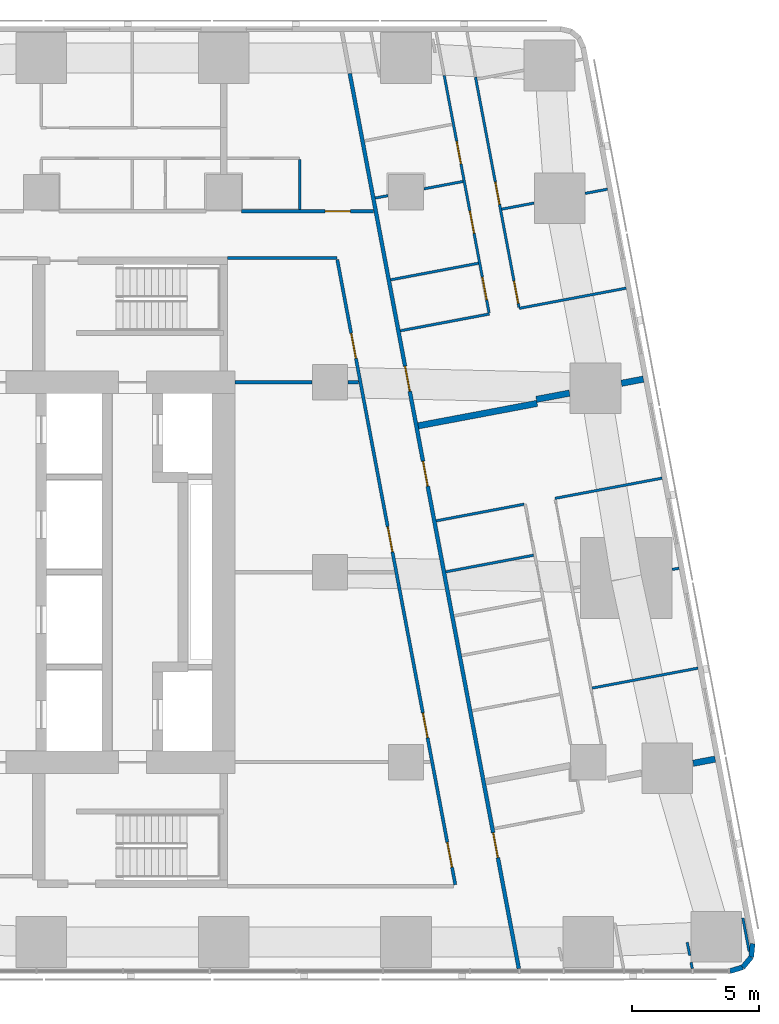
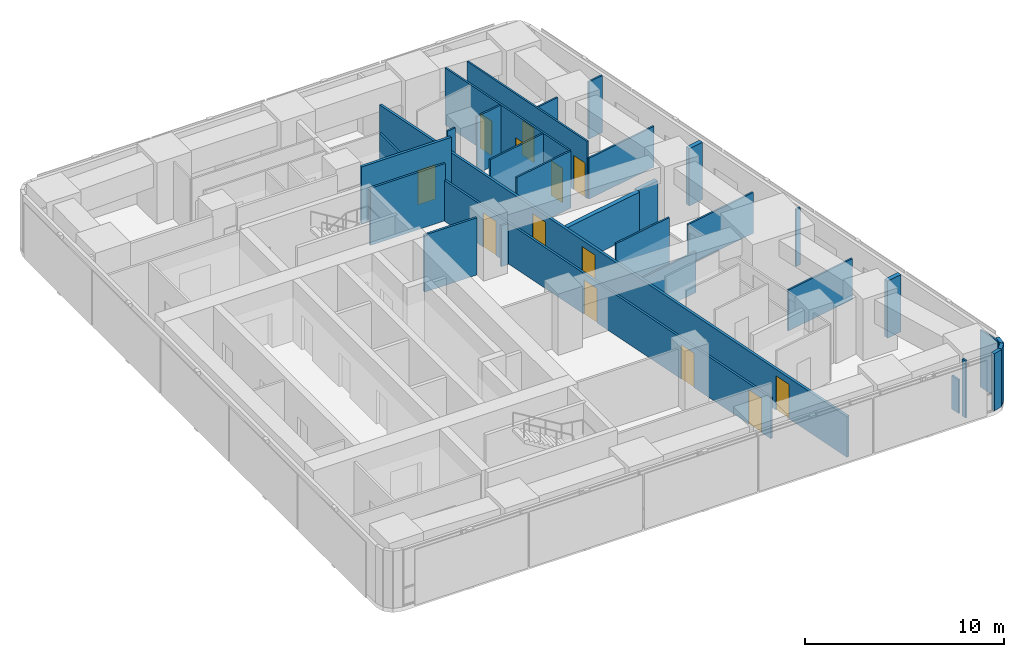
# One storey, part 7 of 11: 31 walls, 13 doors, 13 openings.
"""IFC4 building model written with IfcOpenShell, lengths in metres."""

from ifc_helpers import new_model, si_unit, direction, frame, frame_2d, origin, place, context, subcontext, project, spatial, rectangle, extrude, material, layer, layer_set, type_object, element, fill, save


model = new_model("IFC4")

# Units and contexts
model_context = context("Model", 3, precision=1e-05, world=origin(), true_north=direction((0.0, 1.0)))
body_context = subcontext(model_context, "Body", "Model", "MODEL_VIEW")
ifc_project = project(units=[si_unit("LENGTHUNIT", "METRE"), si_unit("AREAUNIT", "SQUARE_METRE"), si_unit("VOLUMEUNIT", "CUBIC_METRE"), si_unit("PLANEANGLEUNIT", "RADIAN"), si_unit("MASSUNIT", "GRAM", prefix="KILO")], contexts=[model_context])

# Site, building, storey
site_placement = place(None, origin())
site = spatial("IfcSite", under=ifc_project, at=site_placement, CompositionType="ELEMENT")
building_placement = place(site_placement, origin())
building = spatial("IfcBuilding", under=site, at=building_placement, Name="Sheger Commons Tower", CompositionType="ELEMENT")
storey_placement = place(building_placement, frame((0.0, 0.0, 274.10009765625)))
storey = spatial("IfcBuildingStorey", under=building, at=storey_placement, Name="L70", CompositionType="ELEMENT", Elevation=274.10009765625)

# Wall, opening, door
ifc_material_1 = material(Name="Hollow concrete block masonry, skimmed both sides", Category="masonry")
ifc_layer_1 = layer(ifc_material_1, 0.14990234375)
ifc_layer_set_1 = layer_set([ifc_layer_1], Name="CORRIDOR WALL 150")
wall_type_1 = type_object("IfcWallType", Name="CORRIDOR WALL 150", PredefinedType="SOLIDWALL", material=ifc_layer_set_1)
wall_1_placement = place(storey_placement, frame((29.5009765625, 36.75, 0.0), z_axis=(0.0, 0.0, 1.0), x_axis=(1.0, 0.0, 0.0)))
wall_1 = element("IfcWall", 1, at=wall_1_placement, inside=storey, type_object=wall_type_1, Name="Corridor wall L70", PredefinedType="SOLIDWALL", context=body_context, shape_type="SweptSolid", body=[
    extrude(rectangle(XDim=5.216064453125, YDim=0.14990234375, at=frame_2d((2.60791015625, 0.0))), origin(), (0.0, 0.0, 1.0), 3.5),
])
opening_1_placement = place(wall_1_placement, frame((3.304931640625, 0.0, 0.0)))
opening_1 = element("IfcOpeningElement", 2, at=opening_1_placement, cuts=wall_1, Name="Opening D1", PredefinedType="OPENING", context=body_context, shape_type="SweptSolid", body=[
    extrude(rectangle(XDim=1.0, YDim=2.10009765625, at=frame_2d((0.5, 1.050048828125))), frame((0.0, 0.0849609375, 0.0), z_axis=(0.0, -1.0, 0.0), x_axis=(1.0, 0.0, 0.0)), (0.0, 0.0, 1.0), 0.169921875),
])
ifc_material_2 = material(Name="Steel door set, fire rated", Category="steel")
door_type_1 = type_object("IfcDoorType", Name="FLAT ENTRANCE DOOR 1000x2100", OperationType="NOTDEFINED", PredefinedType="DOOR", material=ifc_material_2)
door_1_placement = place(opening_1_placement, origin())
door_1 = element("IfcDoor", 3, at=door_1_placement, inside=storey, type_object=door_type_1, Name="Flat entrance door", OperationType="SINGLE_SWING_RIGHT", OverallHeight=2.10009765625, OverallWidth=1.0, PredefinedType="DOOR", context=body_context, shape_type="SweptSolid", body=[
    extrude(rectangle(XDim=1.0, YDim=2.10009765625, at=frame_2d((0.5, 1.050048828125))), frame((0.0, 0.02490234375, 0.0), z_axis=(0.0, -1.0, 0.0), x_axis=(1.0, 0.0, 0.0)), (0.0, 0.0, 1.0), 0.050048828125),
])
fill(opening_1, door_1)

# Wall, openings, doors
wall_2_placement = place(storey_placement, frame((33.781005859375, 42.18603515625, 0.0), z_axis=(0.0, 0.0, 1.0), x_axis=(0.185593518645, -0.9826266055, 0.0)))
wall_2 = element("IfcWall", 4, at=wall_2_placement, inside=storey, type_object=wall_type_1, Name="Corridor wall L70", PredefinedType="SOLIDWALL", context=body_context, shape_type="SweptSolid", body=[
    extrude(rectangle(XDim=35.960693359375, YDim=0.14990234375, at=frame_2d((17.98046875, 0.0))), origin(), (0.0, 0.0, 1.0), 2.5),
])
opening_2_placement = place(wall_2_placement, frame((11.760009765625, 0.0, 0.0)))
opening_2 = element("IfcOpeningElement", 5, at=opening_2_placement, cuts=wall_2, Name="Opening D1", PredefinedType="OPENING", context=body_context, shape_type="SweptSolid", body=[
    extrude(rectangle(XDim=1.0, YDim=2.10009765625, at=frame_2d((0.5, 1.050048828125))), frame((0.0, 0.0849609375, 0.0), z_axis=(0.0, -1.0, 0.0), x_axis=(1.0, 0.0, 0.0)), (0.0, 0.0, 1.0), 0.169921875),
])
opening_3_placement = place(wall_2_placement, frame((15.575927734375, 0.0, 0.0)))
opening_3 = element("IfcOpeningElement", 6, at=opening_3_placement, cuts=wall_2, Name="Opening D1", PredefinedType="OPENING", context=body_context, shape_type="SweptSolid", body=[
    extrude(rectangle(XDim=1.0, YDim=2.10009765625, at=frame_2d((0.5, 1.050048828125))), frame((0.0, 0.0849609375, 0.0), z_axis=(0.0, -1.0, 0.0), x_axis=(1.0, 0.0, 0.0)), (0.0, 0.0, 1.0), 0.169921875),
])
opening_4_placement = place(wall_2_placement, frame((30.501953125, 0.0, 0.0)))
opening_4 = element("IfcOpeningElement", 7, at=opening_4_placement, cuts=wall_2, Name="Opening D1", PredefinedType="OPENING", context=body_context, shape_type="SweptSolid", body=[
    extrude(rectangle(XDim=1.0, YDim=2.10009765625, at=frame_2d((0.5, 1.050048828125))), frame((0.0, 0.0849609375, 0.0), z_axis=(0.0, -1.0, 0.0), x_axis=(1.0, 0.0, 0.0)), (0.0, 0.0, 1.0), 0.169921875),
])
door_2_placement = place(opening_2_placement, origin())
door_2 = element("IfcDoor", 8, at=door_2_placement, inside=storey, type_object=door_type_1, Name="Flat entrance door", OperationType="SINGLE_SWING_LEFT", OverallHeight=2.10009765625, OverallWidth=1.0, PredefinedType="DOOR", context=body_context, shape_type="SweptSolid", body=[
    extrude(rectangle(XDim=1.0, YDim=2.10009765625, at=frame_2d((0.5, 1.050048828125))), frame((0.0, 0.02490234375, 0.0), z_axis=(0.0, -1.0, 0.0), x_axis=(1.0, 0.0, 0.0)), (0.0, 0.0, 1.0), 0.050048828125),
])
fill(opening_2, door_2)
door_3_placement = place(opening_3_placement, origin())
door_3 = element("IfcDoor", 9, at=door_3_placement, inside=storey, type_object=door_type_1, Name="Flat entrance door", OperationType="SINGLE_SWING_RIGHT", OverallHeight=2.10009765625, OverallWidth=1.0, PredefinedType="DOOR", context=body_context, shape_type="SweptSolid", body=[
    extrude(rectangle(XDim=1.0, YDim=2.10009765625, at=frame_2d((0.5, 1.050048828125))), frame((0.0, 0.02490234375, 0.0), z_axis=(0.0, -1.0, 0.0), x_axis=(1.0, 0.0, 0.0)), (0.0, 0.0, 1.0), 0.050048828125),
])
fill(opening_3, door_3)
door_4_placement = place(opening_4_placement, origin())
door_4 = element("IfcDoor", 10, at=door_4_placement, inside=storey, type_object=door_type_1, Name="Flat entrance door", OperationType="SINGLE_SWING_LEFT", OverallHeight=2.10009765625, OverallWidth=1.0, PredefinedType="DOOR", context=body_context, shape_type="SweptSolid", body=[
    extrude(rectangle(XDim=1.0, YDim=2.10009765625, at=frame_2d((0.5, 1.050048828125))), frame((0.0, 0.02490234375, 0.0), z_axis=(0.0, -1.0, 0.0), x_axis=(1.0, 0.0, 0.0)), (0.0, 0.0, 1.0), 0.050048828125),
])
fill(opening_4, door_4)

# Walls
ifc_material_3 = material(Name="Dense concrete block masonry, plastered both sides (separating wall between flats)", Category="masonry")
ifc_layer_2 = layer(ifc_material_3, 0.25)
ifc_layer_set_2 = layer_set([ifc_layer_2], Name="DEMISING WALL 250")
wall_type_2 = type_object("IfcWallType", Name="DEMISING WALL 250", PredefinedType="SOLIDWALL", material=ifc_layer_set_2)
wall_3_placement = place(storey_placement, frame((45.3720703125, 30.12109375, 0.0), z_axis=(0.0, 0.0, 1.0), x_axis=(-0.982608419258, -0.185689780017, 0.0)))
element("IfcWall", 11, at=wall_3_placement, inside=storey, type_object=wall_type_2, Name="Demising wall L70", PredefinedType="SOLIDWALL", context=body_context, shape_type="SweptSolid", body=[
    extrude(rectangle(XDim=0.883544921875, YDim=0.25, at=frame_2d((0.44189453125, 0.0))), origin(), (0.0, 0.0, 1.0), 3.5),
])
wall_4_placement = place(storey_placement, frame((42.4560546875, 29.570068359375, 0.0), z_axis=(0.0, 0.0, 1.0), x_axis=(-0.982517742323, -0.18616897169, 0.0)))
element("IfcWall", 12, at=wall_4_placement, inside=storey, type_object=wall_type_2, Name="Demising wall L70", PredefinedType="SOLIDWALL", context=body_context, shape_type="SweptSolid", body=[
    extrude(rectangle(XDim=1.332275390625, YDim=0.25, at=frame_2d((0.666015625, 0.0))), origin(), (0.0, 0.0, 1.0), 2.5),
])
wall_5_placement = place(storey_placement, frame((41.177001953125, 29.1640625, 0.0), z_axis=(0.0, 0.0, 1.0), x_axis=(-0.982642846239, -0.185507511263, 0.0)))
element("IfcWall", 13, at=wall_5_placement, inside=storey, type_object=wall_type_2, Name="Demising wall L70", PredefinedType="SOLIDWALL", context=body_context, shape_type="SweptSolid", body=[
    extrude(rectangle(XDim=4.776123046875, YDim=0.25, at=frame_2d((2.38818359375, 0.0))), origin(), (0.0, 0.0, 1.0), 2.5),
])
wall_6_placement = place(storey_placement, frame((48.2060546875, 15.1201171875, 0.0), z_axis=(0.0, 0.0, 1.0), x_axis=(-0.982608419258, -0.185689780017, 0.0)))
element("IfcWall", 14, at=wall_6_placement, inside=storey, type_object=wall_type_2, Name="Demising wall L70", PredefinedType="SOLIDWALL", context=body_context, shape_type="SweptSolid", body=[
    extrude(rectangle(XDim=0.883544921875, YDim=0.25, at=frame_2d((0.44189453125, 0.0))), origin(), (0.0, 0.0, 1.0), 3.5),
])
ifc_material_4 = material(Name="Rendered concrete block masonry, dark grey", Category="masonry")
ifc_layer_3 = layer(ifc_material_4, 0.199951171875)
ifc_layer_set_3 = layer_set([ifc_layer_3], Name="FACADE WALL 200")
wall_type_3 = type_object("IfcWallType", Name="FACADE WALL 200", PredefinedType="SOLIDWALL", material=ifc_layer_set_3)
wall_7_placement = place(storey_placement, frame((48.787109375, 6.75, 0.0), z_axis=(0.0, 0.0, 1.0), x_axis=(0.957282247819, 0.289155145225, 0.0)))
element("IfcWall", 15, at=wall_7_placement, inside=storey, type_object=wall_type_3, Name="Facade wall L70", PredefinedType="SOLIDWALL", context=body_context, shape_type="SweptSolid", body=[
    extrude(rectangle(XDim=0.53271484375, YDim=0.199951171875, at=frame_2d((0.266357421875, 0.0))), origin(), (0.0, 0.0, 1.0), 3.5),
])
wall_8_placement = place(storey_placement, frame((49.297119140625, 6.904052734375, 0.0), z_axis=(0.0, 0.0, 1.0), x_axis=(0.639255849474, 0.768994121508, 0.0)))
element("IfcWall", 16, at=wall_8_placement, inside=storey, type_object=wall_type_3, Name="Facade wall L70", PredefinedType="SOLIDWALL", context=body_context, shape_type="SweptSolid", body=[
    extrude(rectangle(XDim=0.517578125, YDim=0.199951171875, at=frame_2d((0.2587890625, 0.0))), origin(), (0.0, 0.0, 1.0), 3.5),
])
wall_9_placement = place(storey_placement, frame((49.6279296875, 7.302001953125, 0.0), z_axis=(0.0, 0.0, 1.0), x_axis=(0.105352390132, 0.994434952068, 0.0)))
element("IfcWall", 17, at=wall_9_placement, inside=storey, type_object=wall_type_3, Name="Facade wall L70", PredefinedType="SOLIDWALL", context=body_context, shape_type="SweptSolid", body=[
    extrude(rectangle(XDim=0.532958984375, YDim=0.199951171875, at=frame_2d((0.2666015625, 0.0))), origin(), (0.0, 0.0, 1.0), 3.5),
])
ifc_material_5 = material(Name="Gypsum board on steel studs", Category="steel")
ifc_layer_4 = layer(ifc_material_5, 0.10009765625)
ifc_layer_set_4 = layer_set([ifc_layer_4], Name="PARTITION 100")
wall_type_4 = type_object("IfcWallType", Name="PARTITION 100", PredefinedType="PARTITIONING", material=ifc_layer_set_4)
wall_10_placement = place(storey_placement, frame((49.300048828125, 8.85107421875, 0.0), z_axis=(0.0, 0.0, 1.0), x_axis=(0.18581620423, -0.982584519645, 0.0)))
element("IfcWall", 18, at=wall_10_placement, inside=storey, type_object=wall_type_4, Name="Partition L70", PredefinedType="PARTITIONING", context=body_context, shape_type="SweptSolid", body=[
    extrude(rectangle(XDim=1.3505859375, YDim=0.10009765625, at=frame_2d((0.67529296875, 0.0))), origin(), (0.0, 0.0, 1.0), 3.5),
])
wall_11_placement = place(storey_placement, frame((47.301025390625, 6.85009765625, 0.0), z_axis=(0.0, 0.0, 1.0), x_axis=(-0.187513903188, 0.982261948826, 0.0)))
element("IfcWall", 19, at=wall_11_placement, inside=storey, type_object=wall_type_4, Name="Partition L70", PredefinedType="PARTITIONING", context=body_context, shape_type="SweptSolid", body=[
    extrude(rectangle(XDim=0.251220703125, YDim=0.10009765625, at=frame_2d((0.12548828125, 0.0))), origin(), (0.0, 0.0, 1.0), 3.5),
])
wall_12_placement = place(storey_placement, frame((47.202880859375, 7.368896484375, 0.0), z_axis=(0.0, 0.0, 1.0), x_axis=(-0.186456243114, 0.982463266185, 0.0)))
element("IfcWall", 20, at=wall_12_placement, inside=storey, type_object=wall_type_4, Name="Partition L70", PredefinedType="PARTITIONING", context=body_context, shape_type="SweptSolid", body=[
    extrude(rectangle(XDim=0.5302734375, YDim=0.10009765625, at=frame_2d((0.26513671875, 0.0))), origin(), (0.0, 0.0, 1.0), 2.0498046875),
])

# Wall, openings, doors
wall_13_placement = place(storey_placement, frame((38.743896484375, 42.044921875, 0.0), z_axis=(0.0, 0.0, 1.0), x_axis=(0.185588352162, -0.982627581305, 0.0)))
wall_13 = element("IfcWall", 21, at=wall_13_placement, inside=storey, type_object=wall_type_4, Name="Partition L70", PredefinedType="PARTITIONING", context=body_context, shape_type="SweptSolid", body=[
    extrude(rectangle(XDim=9.241455078125, YDim=0.10009765625, at=frame_2d((4.62060546875, 0.0))), origin(), (0.0, 0.0, 1.0), 3.5),
])
opening_5_placement = place(wall_13_placement, frame((8.19091796875, 0.0, 0.0)))
opening_5 = element("IfcOpeningElement", 22, at=opening_5_placement, cuts=wall_13, Name="Opening D2", PredefinedType="OPENING", context=body_context, shape_type="SweptSolid", body=[
    extrude(rectangle(XDim=0.89990234375, YDim=2.10009765625, at=frame_2d((0.449951171875, 1.050048828125))), frame((0.0, 0.06005859375, 0.0), z_axis=(0.0, -1.0, 0.0), x_axis=(1.0, 0.0, 0.0)), (0.0, 0.0, 1.0), 0.1201171875),
])
opening_6_placement = place(wall_13_placement, frame((4.215087890625, 0.0, 0.0)))
opening_6 = element("IfcOpeningElement", 23, at=opening_6_placement, cuts=wall_13, Name="Opening D2", PredefinedType="OPENING", context=body_context, shape_type="SweptSolid", body=[
    extrude(rectangle(XDim=0.89990234375, YDim=2.10009765625, at=frame_2d((0.449951171875, 1.050048828125))), frame((0.0, 0.06005859375, 0.0), z_axis=(0.0, -1.0, 0.0), x_axis=(1.0, 0.0, 0.0)), (0.0, 0.0, 1.0), 0.1201171875),
])
ifc_material_6 = material(Name="Timber door set", Category="wood")
door_type_2 = type_object("IfcDoorType", Name="INTERNAL DOOR 900x2100", OperationType="NOTDEFINED", PredefinedType="DOOR", material=ifc_material_6)
door_5_placement = place(opening_5_placement, origin())
door_5 = element("IfcDoor", 24, at=door_5_placement, inside=storey, type_object=door_type_2, Name="Main bedroom door", OperationType="SINGLE_SWING_RIGHT", OverallHeight=2.10009765625, OverallWidth=0.89990234375, PredefinedType="DOOR", context=body_context, shape_type="SweptSolid", body=[
    extrude(rectangle(XDim=0.89990234375, YDim=2.10009765625, at=frame_2d((0.449951171875, 1.050048828125))), frame((0.0, 0.02490234375, 0.0), z_axis=(0.0, -1.0, 0.0), x_axis=(1.0, 0.0, 0.0)), (0.0, 0.0, 1.0), 0.050048828125),
])
fill(opening_5, door_5)
door_6_placement = place(opening_6_placement, origin())
door_6 = element("IfcDoor", 25, at=door_6_placement, inside=storey, type_object=door_type_2, Name="Bedroom 2 door", OperationType="SINGLE_SWING_RIGHT", OverallHeight=2.10009765625, OverallWidth=0.89990234375, PredefinedType="DOOR", context=body_context, shape_type="SweptSolid", body=[
    extrude(rectangle(XDim=0.89990234375, YDim=2.10009765625, at=frame_2d((0.449951171875, 1.050048828125))), frame((0.0, 0.02490234375, 0.0), z_axis=(0.0, -1.0, 0.0), x_axis=(1.0, 0.0, 0.0)), (0.0, 0.0, 1.0), 0.050048828125),
])
fill(opening_6, door_6)

wall_14_placement = place(storey_placement, frame((37.510009765625, 42.10888671875, 0.0), z_axis=(0.0, 0.0, 1.0), x_axis=(0.185659798122, -0.982614084654, 0.0)))
wall_14 = element("IfcWall", 26, at=wall_14_placement, inside=storey, type_object=wall_type_4, Name="Partition L70", PredefinedType="PARTITIONING", context=body_context, shape_type="SweptSolid", body=[
    extrude(rectangle(XDim=9.53369140625, YDim=0.10009765625, at=frame_2d((4.766845703125, 0.0))), origin(), (0.0, 0.0, 1.0), 3.5),
])
opening_7_placement = place(wall_14_placement, frame((8.10888671875, 0.0, 0.0)))
opening_7 = element("IfcOpeningElement", 27, at=opening_7_placement, cuts=wall_14, Name="Opening D2", PredefinedType="OPENING", context=body_context, shape_type="SweptSolid", body=[
    extrude(rectangle(XDim=0.89990234375, YDim=2.10009765625, at=frame_2d((0.449951171875, 1.050048828125))), frame((0.0, 0.06005859375, 0.0), z_axis=(0.0, -1.0, 0.0), x_axis=(1.0, 0.0, 0.0)), (0.0, 0.0, 1.0), 0.1201171875),
])
opening_8_placement = place(wall_14_placement, frame((2.64990234375, 0.0, 0.0)))
opening_8 = element("IfcOpeningElement", 28, at=opening_8_placement, cuts=wall_14, Name="Opening D2", PredefinedType="OPENING", context=body_context, shape_type="SweptSolid", body=[
    extrude(rectangle(XDim=0.89990234375, YDim=2.10009765625, at=frame_2d((0.449951171875, 1.050048828125))), frame((0.0, 0.06005859375, 0.0), z_axis=(0.0, -1.0, 0.0), x_axis=(1.0, 0.0, 0.0)), (0.0, 0.0, 1.0), 0.1201171875),
])
opening_9_placement = place(wall_14_placement, frame((5.43994140625, 0.0, 0.0)))
opening_9 = element("IfcOpeningElement", 29, at=opening_9_placement, cuts=wall_14, Name="Opening D2", PredefinedType="OPENING", context=body_context, shape_type="SweptSolid", body=[
    extrude(rectangle(XDim=0.89990234375, YDim=2.10009765625, at=frame_2d((0.449951171875, 1.050048828125))), frame((0.0, 0.06005859375, 0.0), z_axis=(0.0, -1.0, 0.0), x_axis=(1.0, 0.0, 0.0)), (0.0, 0.0, 1.0), 0.1201171875),
])
door_7_placement = place(opening_7_placement, origin())
door_7 = element("IfcDoor", 30, at=door_7_placement, inside=storey, type_object=door_type_2, Name="Bathroom door", OperationType="SINGLE_SWING_LEFT", OverallHeight=2.10009765625, OverallWidth=0.89990234375, PredefinedType="DOOR", context=body_context, shape_type="SweptSolid", body=[
    extrude(rectangle(XDim=0.89990234375, YDim=2.10009765625, at=frame_2d((0.449951171875, 1.050048828125))), frame((0.0, 0.02490234375, 0.0), z_axis=(0.0, -1.0, 0.0), x_axis=(1.0, 0.0, 0.0)), (0.0, 0.0, 1.0), 0.050048828125),
])
fill(opening_7, door_7)
door_8_placement = place(opening_8_placement, origin())
door_8 = element("IfcDoor", 31, at=door_8_placement, inside=storey, type_object=door_type_2, Name="Laundry room door", OperationType="SINGLE_SWING_RIGHT", OverallHeight=2.10009765625, OverallWidth=0.89990234375, PredefinedType="DOOR", context=body_context, shape_type="SweptSolid", body=[
    extrude(rectangle(XDim=0.89990234375, YDim=2.10009765625, at=frame_2d((0.449951171875, 1.050048828125))), frame((0.0, 0.02490234375, 0.0), z_axis=(0.0, -1.0, 0.0), x_axis=(1.0, 0.0, 0.0)), (0.0, 0.0, 1.0), 0.050048828125),
])
fill(opening_8, door_8)
door_9_placement = place(opening_9_placement, origin())
door_9 = element("IfcDoor", 32, at=door_9_placement, inside=storey, type_object=door_type_2, Name="Store door", OperationType="SINGLE_SWING_RIGHT", OverallHeight=2.10009765625, OverallWidth=0.89990234375, PredefinedType="DOOR", context=body_context, shape_type="SweptSolid", body=[
    extrude(rectangle(XDim=0.89990234375, YDim=2.10009765625, at=frame_2d((0.449951171875, 1.050048828125))), frame((0.0, 0.02490234375, 0.0), z_axis=(0.0, -1.0, 0.0), x_axis=(1.0, 0.0, 0.0)), (0.0, 0.0, 1.0), 0.050048828125),
])
fill(opening_9, door_9)

# Walls
wall_15_placement = place(storey_placement, frame((43.955078125, 37.6201171875, 0.0), z_axis=(0.0, 0.0, 1.0), x_axis=(-0.982708424405, -0.18515980288, 0.0)))
element("IfcWall", 33, at=wall_15_placement, inside=storey, type_object=wall_type_4, Name="Partition L70", PredefinedType="PARTITIONING", context=body_context, shape_type="SweptSolid", body=[
    extrude(rectangle(XDim=0.896728515625, YDim=0.10009765625, at=frame_2d((0.4482421875, 0.0))), origin(), (0.0, 0.0, 1.0), 3.5),
])
wall_16_placement = place(storey_placement, frame((41.053955078125, 37.072021484375, 0.0), z_axis=(0.0, 0.0, 1.0), x_axis=(-0.982602741717, -0.185719821156, 0.0)))
element("IfcWall", 34, at=wall_16_placement, inside=storey, type_object=wall_type_4, Name="Partition L70", PredefinedType="PARTITIONING", context=body_context, shape_type="SweptSolid", body=[
    extrude(rectangle(XDim=1.29736328125, YDim=0.10009765625, at=frame_2d((0.648681640625, 0.0))), origin(), (0.0, 0.0, 1.0), 3.5),
])
wall_17_placement = place(storey_placement, frame((44.693115234375, 33.712890625, 0.0), z_axis=(0.0, 0.0, 1.0), x_axis=(-0.982633535512, -0.185556823879, 0.0)))
element("IfcWall", 35, at=wall_17_placement, inside=storey, type_object=wall_type_4, Name="Partition L70", PredefinedType="PARTITIONING", context=body_context, shape_type="SweptSolid", body=[
    extrude(rectangle(XDim=4.2998046875, YDim=0.10009765625, at=frame_2d((2.14990234375, 0.0))), origin(), (0.0, 0.0, 1.0), 2.5),
])
wall_18_placement = place(storey_placement, frame((38.25, 37.925048828125, 0.0), z_axis=(0.0, 0.0, 1.0), x_axis=(-0.982610209589, -0.185680305934, 0.0)))
element("IfcWall", 36, at=wall_18_placement, inside=storey, type_object=wall_type_4, Name="Partition L70", PredefinedType="PARTITIONING", context=body_context, shape_type="SweptSolid", body=[
    extrude(rectangle(XDim=1.5673828125, YDim=0.10009765625, at=frame_2d((0.78369140625, 0.0))), origin(), (0.0, 0.0, 1.0), 3.5),
])
wall_19_placement = place(storey_placement, frame((35.2900390625, 37.365966796875, 0.0), z_axis=(0.0, 0.0, 1.0), x_axis=(-0.982715597703, -0.185121727606, 0.0)))
element("IfcWall", 37, at=wall_19_placement, inside=storey, type_object=wall_type_4, Name="Partition L70", PredefinedType="PARTITIONING", context=body_context, shape_type="SweptSolid", body=[
    extrude(rectangle(XDim=0.512939453125, YDim=0.10009765625, at=frame_2d((0.25634765625, 0.0))), origin(), (0.0, 0.0, 1.0), 3.5),
])
wall_20_placement = place(storey_placement, frame((39.2890625, 32.69189453125, 0.0), z_axis=(0.0, 0.0, 1.0), x_axis=(-0.982662827464, -0.185401638399, 0.0)))
element("IfcWall", 38, at=wall_20_placement, inside=storey, type_object=wall_type_4, Name="Partition L70", PredefinedType="PARTITIONING", context=body_context, shape_type="SweptSolid", body=[
    extrude(rectangle(XDim=3.5751953125, YDim=0.10009765625, at=frame_2d((1.78759765625, 0.0))), origin(), (0.0, 0.0, 1.0), 3.5),
])
wall_21_placement = place(storey_placement, frame((38.85888671875, 34.697021484375, 0.0), z_axis=(0.0, 0.0, 1.0), x_axis=(-0.982626628545, -0.185593396635, 0.0)))
element("IfcWall", 39, at=wall_21_placement, inside=storey, type_object=wall_type_4, Name="Partition L70", PredefinedType="PARTITIONING", context=body_context, shape_type="SweptSolid", body=[
    extrude(rectangle(XDim=3.524169921875, YDim=0.10009765625, at=frame_2d((1.76220703125, 0.0))), origin(), (0.0, 0.0, 1.0), 3.5),
])
wall_22_placement = place(storey_placement, frame((46.110107421875, 26.212890625, 0.0), z_axis=(0.0, 0.0, 1.0), x_axis=(-0.982633535512, -0.185556823879, 0.0)))
element("IfcWall", 40, at=wall_22_placement, inside=storey, type_object=wall_type_4, Name="Partition L70", PredefinedType="PARTITIONING", context=body_context, shape_type="SweptSolid", body=[
    extrude(rectangle(XDim=4.2998046875, YDim=0.10009765625, at=frame_2d((2.14990234375, 0.0))), origin(), (0.0, 0.0, 1.0), 2.5),
])
wall_23_placement = place(storey_placement, frame((46.781982421875, 22.656982421875, 0.0), z_axis=(0.0, 0.0, 1.0), x_axis=(-0.982574553168, -0.185868898601, 0.0)))
element("IfcWall", 41, at=wall_23_placement, inside=storey, type_object=wall_type_4, Name="Partition L70", PredefinedType="PARTITIONING", context=body_context, shape_type="SweptSolid", body=[
    extrude(rectangle(XDim=0.27978515625, YDim=0.10009765625, at=frame_2d((0.139892578125, 0.0))), origin(), (0.0, 0.0, 1.0), 3.5),
])
wall_24_placement = place(storey_placement, frame((47.527099609375, 18.7119140625, 0.0), z_axis=(0.0, 0.0, 1.0), x_axis=(-0.982665405803, -0.185387972203, 0.0)))
element("IfcWall", 42, at=wall_24_placement, inside=storey, type_object=wall_type_4, Name="Partition L70", PredefinedType="PARTITIONING", context=body_context, shape_type="SweptSolid", body=[
    extrude(rectangle(XDim=4.249755859375, YDim=0.10009765625, at=frame_2d((2.125, 0.0))), origin(), (0.0, 0.0, 1.0), 2.5),
])
wall_25_placement = place(storey_placement, frame((40.656982421875, 25.18310546875, 0.0), z_axis=(0.0, 0.0, 1.0), x_axis=(-0.982585626838, -0.185810349366, 0.0)))
element("IfcWall", 43, at=wall_25_placement, inside=storey, type_object=wall_type_4, Name="Partition L70", PredefinedType="PARTITIONING", context=body_context, shape_type="SweptSolid", body=[
    extrude(rectangle(XDim=3.525146484375, YDim=0.10009765625, at=frame_2d((1.7626953125, 0.0))), origin(), (0.0, 0.0, 1.0), 3.5),
])
wall_26_placement = place(storey_placement, frame((41.037109375, 23.16796875, 0.0), z_axis=(0.0, 0.0, 1.0), x_axis=(-0.982638553676, -0.185530247748, 0.0)))
element("IfcWall", 44, at=wall_26_placement, inside=storey, type_object=wall_type_4, Name="Partition L70", PredefinedType="PARTITIONING", context=body_context, shape_type="SweptSolid", body=[
    extrude(rectangle(XDim=3.525390625, YDim=0.10009765625, at=frame_2d((1.7626953125, 0.0))), origin(), (0.0, 0.0, 1.0), 2.5),
])
wall_27_placement = place(storey_placement, frame((31.803955078125, 36.824951171875, 0.0), z_axis=(0.0, 0.0, 1.0), x_axis=(0.0, 1.0, 0.0)))
element("IfcWall", 45, at=wall_27_placement, inside=storey, type_object=wall_type_4, Name="Partition L70", PredefinedType="PARTITIONING", context=body_context, shape_type="SweptSolid", body=[
    extrude(rectangle(XDim=1.97509765625, YDim=0.10009765625, at=frame_2d((0.987548828125, 0.0))), origin(), (0.0, 0.0, 1.0), 3.5),
])
ifc_material_7 = material(Name="Gypsum board on steel studs, two layers each side, fire rated", Category="steel")
ifc_layer_5 = layer(ifc_material_7, 0.125)
ifc_layer_set_5 = layer_set([ifc_layer_5], Name="SERVICE WALL 125")
wall_type_5 = type_object("IfcWallType", Name="SERVICE WALL 125", PredefinedType="PARTITIONING", material=ifc_layer_set_5)
wall_28_placement = place(storey_placement, frame((28.949951171875, 34.89990234375, 0.0), z_axis=(0.0, 0.0, 1.0), x_axis=(1.0, 0.0, 0.0)))
element("IfcWall", 46, at=wall_28_placement, inside=storey, type_object=wall_type_5, Name="Service room wall L70", PredefinedType="PARTITIONING", context=body_context, shape_type="SweptSolid", body=[
    extrude(rectangle(XDim=4.333984375, YDim=0.125, at=frame_2d((2.1669921875, 0.0))), origin(), (0.0, 0.0, 1.0), 3.5),
])

# Wall, openings, doors
wall_29_placement = place(storey_placement, frame((37.947021484375, 10.1630859375, 0.0), z_axis=(0.0, 0.0, 1.0), x_axis=(-0.185572770922, 0.982630523998, 0.0)))
wall_29 = element("IfcWall", 47, at=wall_29_placement, inside=storey, type_object=wall_type_5, Name="Service room wall L70", PredefinedType="PARTITIONING", context=body_context, shape_type="SweptSolid", body=[
    extrude(rectangle(XDim=25.111083984375, YDim=0.125, at=frame_2d((12.5556640625, 0.0))), origin(), (0.0, 0.0, 1.0), 2.5),
])
opening_10_placement = place(wall_29_placement, frame((0.7080078125, 0.0, 0.0)))
opening_10 = element("IfcOpeningElement", 48, at=opening_10_placement, cuts=wall_29, Name="Opening D4", PredefinedType="OPENING", context=body_context, shape_type="SweptSolid", body=[
    extrude(rectangle(XDim=1.0, YDim=2.10009765625, at=frame_2d((0.5, 1.050048828125))), frame((0.0, 0.072509765625, 0.0), z_axis=(0.0, -1.0, 0.0), x_axis=(1.0, 0.0, 0.0)), (0.0, 0.0, 1.0), 0.14501953125),
])
opening_11_placement = place(wall_29_placement, frame((5.89990234375, 0.0, 0.0)))
opening_11 = element("IfcOpeningElement", 49, at=opening_11_placement, cuts=wall_29, Name="Opening D4", PredefinedType="OPENING", context=body_context, shape_type="SweptSolid", body=[
    extrude(rectangle(XDim=1.0, YDim=2.10009765625, at=frame_2d((0.5, 1.050048828125))), frame((0.0, 0.072509765625, 0.0), z_axis=(0.0, -1.0, 0.0), x_axis=(1.0, 0.0, 0.0)), (0.0, 0.0, 1.0), 0.14501953125),
])
opening_12_placement = place(wall_29_placement, frame((13.3779296875, 0.0, 0.0)))
opening_12 = element("IfcOpeningElement", 50, at=opening_12_placement, cuts=wall_29, Name="Opening D4", PredefinedType="OPENING", context=body_context, shape_type="SweptSolid", body=[
    extrude(rectangle(XDim=1.0, YDim=2.10009765625, at=frame_2d((0.5, 1.050048828125))), frame((0.0, 0.072509765625, 0.0), z_axis=(0.0, -1.0, 0.0), x_axis=(1.0, 0.0, 0.0)), (0.0, 0.0, 1.0), 0.14501953125),
])
opening_13_placement = place(wall_29_placement, frame((21.14990234375, 0.0, 0.0)))
opening_13 = element("IfcOpeningElement", 51, at=opening_13_placement, cuts=wall_29, Name="Opening D4", PredefinedType="OPENING", context=body_context, shape_type="SweptSolid", body=[
    extrude(rectangle(XDim=1.0, YDim=2.10009765625, at=frame_2d((0.5, 1.050048828125))), frame((0.0, 0.072509765625, 0.0), z_axis=(0.0, -1.0, 0.0), x_axis=(1.0, 0.0, 0.0)), (0.0, 0.0, 1.0), 0.14501953125),
])
ifc_material_8 = material(Name="Steel door set, fire rated", Category="steel")
door_type_3 = type_object("IfcDoorType", Name="SERVICE DOOR 1000x2100", OperationType="NOTDEFINED", PredefinedType="DOOR", material=ifc_material_8)
door_10_placement = place(opening_10_placement, origin())
door_10 = element("IfcDoor", 52, at=door_10_placement, inside=storey, type_object=door_type_3, Name="Residents' study room door", OperationType="SINGLE_SWING_LEFT", OverallHeight=2.10009765625, OverallWidth=1.0, PredefinedType="DOOR", context=body_context, shape_type="SweptSolid", body=[
    extrude(rectangle(XDim=1.0, YDim=2.10009765625, at=frame_2d((0.5, 1.050048828125))), frame((0.0, 0.02490234375, 0.0), z_axis=(0.0, -1.0, 0.0), x_axis=(1.0, 0.0, 0.0)), (0.0, 0.0, 1.0), 0.050048828125),
])
fill(opening_10, door_10)
door_11_placement = place(opening_11_placement, origin())
door_11 = element("IfcDoor", 53, at=door_11_placement, inside=storey, type_object=door_type_3, Name="Bicycle and pram store door", OperationType="SINGLE_SWING_LEFT", OverallHeight=2.10009765625, OverallWidth=1.0, PredefinedType="DOOR", context=body_context, shape_type="SweptSolid", body=[
    extrude(rectangle(XDim=1.0, YDim=2.10009765625, at=frame_2d((0.5, 1.050048828125))), frame((0.0, 0.02490234375, 0.0), z_axis=(0.0, -1.0, 0.0), x_axis=(1.0, 0.0, 0.0)), (0.0, 0.0, 1.0), 0.050048828125),
])
fill(opening_11, door_11)
door_12_placement = place(opening_12_placement, origin())
door_12 = element("IfcDoor", 54, at=door_12_placement, inside=storey, type_object=door_type_3, Name="Residents' store door", OperationType="SINGLE_SWING_LEFT", OverallHeight=2.10009765625, OverallWidth=1.0, PredefinedType="DOOR", context=body_context, shape_type="SweptSolid", body=[
    extrude(rectangle(XDim=1.0, YDim=2.10009765625, at=frame_2d((0.5, 1.050048828125))), frame((0.0, 0.02490234375, 0.0), z_axis=(0.0, -1.0, 0.0), x_axis=(1.0, 0.0, 0.0)), (0.0, 0.0, 1.0), 0.050048828125),
])
fill(opening_12, door_12)
door_13_placement = place(opening_13_placement, origin())
door_13 = element("IfcDoor", 55, at=door_13_placement, inside=storey, type_object=door_type_3, Name="Residents' meeting room door", OperationType="SINGLE_SWING_LEFT", OverallHeight=2.10009765625, OverallWidth=1.0, PredefinedType="DOOR", context=body_context, shape_type="SweptSolid", body=[
    extrude(rectangle(XDim=1.0, YDim=2.10009765625, at=frame_2d((0.5, 1.050048828125))), frame((0.0, 0.02490234375, 0.0), z_axis=(0.0, -1.0, 0.0), x_axis=(1.0, 0.0, 0.0)), (0.0, 0.0, 1.0), 0.050048828125),
])
fill(opening_13, door_13)

# Walls
wall_30_placement = place(storey_placement, frame((29.25, 30.0, 0.0), z_axis=(0.0, 0.0, 1.0), x_axis=(1.0, 0.0, 0.0)))
element("IfcWall", 56, at=wall_30_placement, inside=storey, type_object=wall_type_5, Name="Service room wall L70", PredefinedType="PARTITIONING", context=body_context, shape_type="SweptSolid", body=[
    extrude(rectangle(XDim=3.049072265625, YDim=0.125, at=frame_2d((1.5244140625, 0.0))), origin(), (0.0, 0.0, 1.0), 3.5),
])
wall_31_placement = place(storey_placement, frame((33.700927734375, 30.0, 0.0), z_axis=(0.0, 0.0, 1.0), x_axis=(1.0, 0.0, 0.0)))
element("IfcWall", 57, at=wall_31_placement, inside=storey, type_object=wall_type_5, Name="Service room wall L70", PredefinedType="PARTITIONING", context=body_context, shape_type="SweptSolid", body=[
    extrude(rectangle(XDim=0.424072265625, YDim=0.125, at=frame_2d((0.2119140625, 0.0))), origin(), (0.0, 0.0, 1.0), 2.5),
])

save(model, "model.ifc")
